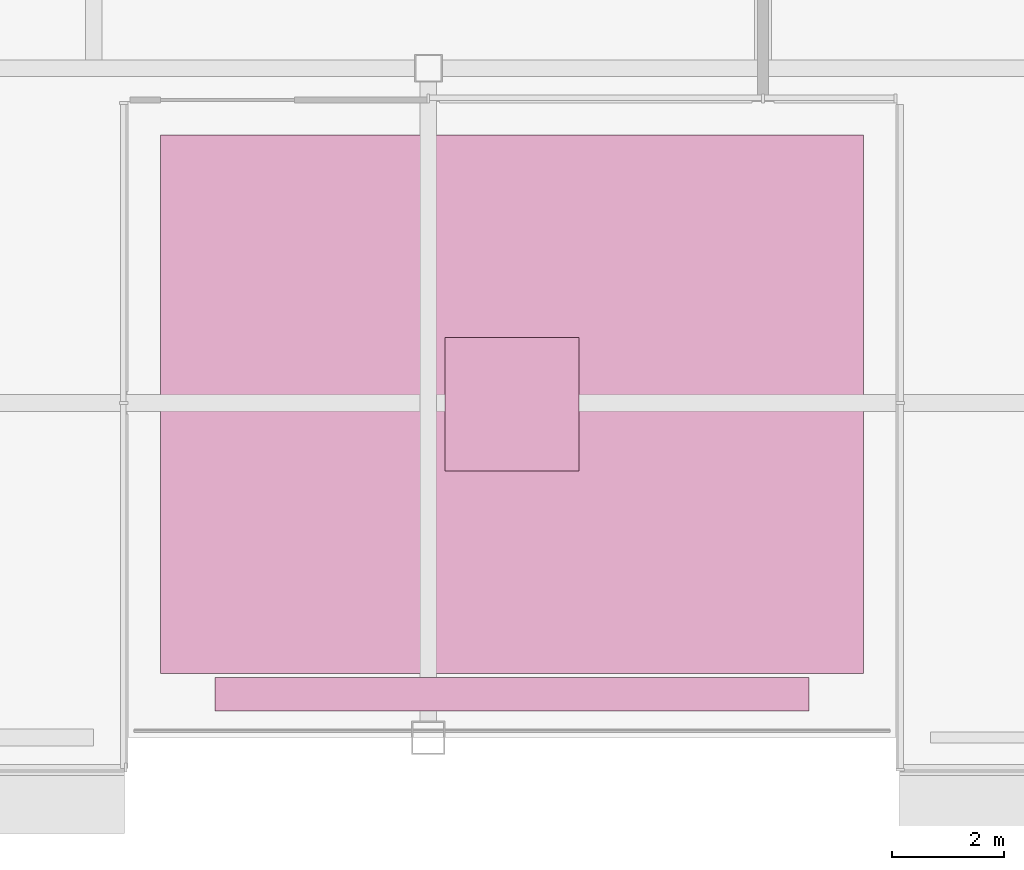
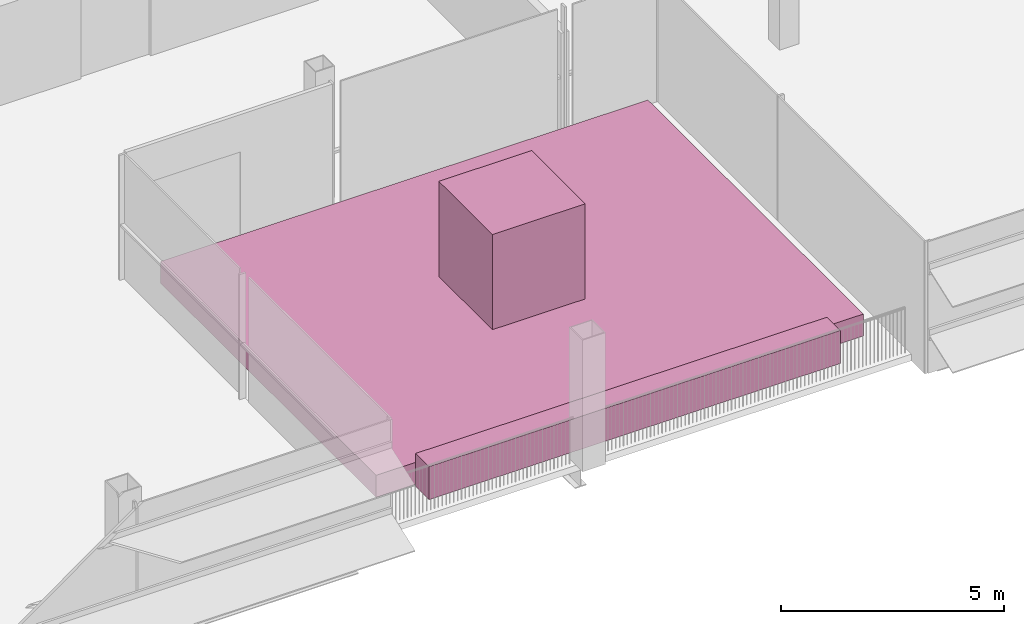
# One storey, part 27 of 27: 3 furniture elements.
"""IFC4 building model written with IfcOpenShell, lengths in metres."""

import ifcopenshell
import ifcopenshell.guid

model = None  # the IFC model being written
_history = None  # IfcOwnerHistory: only IFC2X3 demands one
_inside = {}  # id of a spatial element -> (the spatial element, [elements in it])
_under = {}  # id of a project, library or spatial element -> (it, [spatial elements below it])
_declared = {}  # id of a project -> (the project, [libraries it declares])
_typed = {}  # id of a type object -> (the type object, [elements of that type])
_made_of = {}  # id of a material, layer set ... -> (it, [elements and type objects made of it])


def new_model(schema):
    """Start an empty IFC model of exactly this schema.

    Asked for "IFC4X3", IfcOpenShell would pick the latest addendum, in which some entities
    have other attributes; the version numbers below select the first issue.
    IFC2X3 requires an IfcOwnerHistory on every rooted entity: one is made here for all.
    """
    global model, _history
    if schema == "IFC4X3":
        model = ifcopenshell.file(schema_version=(4, 3, 0, 0))
    else:
        model = ifcopenshell.file(schema=schema)
    _inside.clear()
    _under.clear()
    _declared.clear()
    _typed.clear()
    _made_of.clear()
    _history = None
    if model.schema == "IFC2X3":
        org = make("IfcOrganization", Name="unknown")
        user = make(
            "IfcPersonAndOrganization",
            ThePerson=make("IfcPerson", FamilyName="unknown"),
            TheOrganization=org,
        )
        app = make(
            "IfcApplication",
            ApplicationDeveloper=org,
            Version="unknown",
            ApplicationFullName="unknown",
            ApplicationIdentifier="unknown",
        )
        _history = make(
            "IfcOwnerHistory",
            OwningUser=user,
            OwningApplication=app,
            ChangeAction="ADDED",
            CreationDate=0,
        )
    return model


def make(cls, **values):
    """One entity of the class cls with the attributes given. An attribute that is None is left unset."""
    return model.create_entity(
        cls, **{name: value for name, value in values.items() if value is not None}
    )


def rooted(cls, **values):
    """An entity with a GlobalId (a new one), such as an element, a storey or a relation."""
    return make(cls, GlobalId=ifcopenshell.guid.new(), OwnerHistory=_history, **values)


def si_unit(unit_type, name, prefix=None):
    """IfcSIUnit, for example si_unit("LENGTHUNIT", "METRE", prefix="MILLI")."""
    return make("IfcSIUnit", UnitType=unit_type, Prefix=prefix, Name=name)


def assignment(units):
    """IfcUnitAssignment: the units of a project."""
    return None if units is None else make("IfcUnitAssignment", Units=units)


def point(xyz):
    """IfcCartesianPoint."""
    return None if xyz is None else make("IfcCartesianPoint", Coordinates=xyz)


def direction(xyz):
    """IfcDirection."""
    return None if xyz is None else make("IfcDirection", DirectionRatios=xyz)


def frame(location, z_axis=None, x_axis=None):
    """IfcAxis2Placement3D, a coordinate frame: its origin and axes. An axis left out is left unset."""
    return make(
        "IfcAxis2Placement3D",
        Location=point(location),
        Axis=direction(z_axis),
        RefDirection=direction(x_axis),
    )


def frame_2d(location, x_axis=None):
    """IfcAxis2Placement2D, a coordinate frame in the plane: its origin and x axis."""
    return make(
        "IfcAxis2Placement2D", Location=point(location), RefDirection=direction(x_axis)
    )


def origin():
    """The frame at (0, 0, 0) with its axes left unset."""
    return frame((0.0, 0.0, 0.0))


def origin_2d():
    """The frame at (0, 0) in the plane with its x axis left unset."""
    return frame_2d((0.0, 0.0))


def place(relative_to, where):
    """IfcLocalPlacement: puts the frame where relative to a parent placement (None: the world)."""
    return make(
        "IfcLocalPlacement", PlacementRelTo=relative_to, RelativePlacement=where
    )


def context(
    kind, dimensions, precision=None, world=None, true_north=None, identifier=None
):
    """IfcGeometricRepresentationContext, for example the 3D "Model" context."""
    return make(
        "IfcGeometricRepresentationContext",
        ContextIdentifier=identifier,
        ContextType=kind,
        CoordinateSpaceDimension=dimensions,
        Precision=precision,
        WorldCoordinateSystem=world,
        TrueNorth=true_north,
    )


def subcontext(parent, identifier, kind, view, scale=None):
    """IfcGeometricRepresentationSubContext, for example "Body" below "Model"."""
    return make(
        "IfcGeometricRepresentationSubContext",
        ContextIdentifier=identifier,
        ContextType=kind,
        ParentContext=parent,
        TargetScale=scale,
        TargetView=view,
    )


def project(units=None, contexts=None):
    """IfcProject with its units and contexts."""
    return rooted(
        "IfcProject",
        Name="project",
        RepresentationContexts=contexts,
        UnitsInContext=assignment(units),
    )


def spatial(cls, under=None, at=None, **own):
    """A site, building, storey or space (cls), placed at a placement, below another one or the project."""
    s = rooted(cls, ObjectPlacement=at, **own)
    if under is not None:
        _under.setdefault(under.id(), (under, []))[1].append(s)
    return s


def profile(cls, at=None, kind="AREA", **sizes):
    """A parametric profile (cls). Its sizes go by their IFC names, for example OverallWidth=200.0."""
    return make(cls, ProfileType=kind, Position=at, **sizes)


def rectangle(**sizes):
    """IfcRectangleProfileDef."""
    return profile("IfcRectangleProfileDef", **sizes)


def extrude(swept, where, along, depth):
    """IfcExtrudedAreaSolid: the profile swept, set in the frame where, extruded along a direction by depth."""
    return make(
        "IfcExtrudedAreaSolid",
        SweptArea=swept,
        Position=where,
        ExtrudedDirection=direction(along),
        Depth=depth,
    )


def shape(context_of_items, identifier, shape_type, items):
    """IfcShapeRepresentation: the items that make up one representation, for example the "Body"."""
    return make(
        "IfcShapeRepresentation",
        ContextOfItems=context_of_items,
        RepresentationIdentifier=identifier,
        RepresentationType=shape_type,
        Items=items,
    )


def material(Name=None, Category=None):
    """IfcMaterial."""
    return make("IfcMaterial", Name=Name, Category=Category)


def made_of(thing, what):
    """Note that an element or type object is made of a material, layer set ...; save() writes the relation."""
    if what is not None:
        _made_of.setdefault(what.id(), (what, []))[1].append(thing)
    return thing


def type_object(cls, material=None, **own):
    """A type object (cls), such as IfcWallType, which elements share."""
    return made_of(rooted(cls, **own), material)


def element(
    cls,
    number,
    at=None,
    inside=None,
    cuts=None,
    type_object=None,
    material=None,
    context=None,
    identifier="Body",
    shape_type=None,
    held_by="IfcProductDefinitionShape",
    body=None,
    shapes=None,
    **own,
):
    """One element of the class cls, such as IfcWall. Its Tag is "e" and its number.

    at: its placement. inside: the storey or other place that contains it. cuts: it is an
    opening in that element (IfcRelVoidsElement). A single representation is given by context,
    identifier, shape_type and body (its items); several are given by shapes. held_by: the class
    of the entity that holds the representations. save() writes the other relations.
    """
    e = rooted(cls, Tag="e%d" % number, ObjectPlacement=at, **own)
    if body is not None:
        shapes = [shape(context, identifier, shape_type, body)]
    if shapes is not None:
        e.Representation = make(held_by, Representations=shapes)
    if inside is not None:
        _inside.setdefault(inside.id(), (inside, []))[1].append(e)
    if cuts is not None:
        rooted(
            "IfcRelVoidsElement", RelatingBuildingElement=cuts, RelatedOpeningElement=e
        )
    if type_object is not None:
        _typed.setdefault(type_object.id(), (type_object, []))[1].append(e)
    return made_of(e, material)


def aggregate(whole, parts):
    """IfcRelAggregates: a whole, such as a stair, and the parts it consists of."""
    return rooted("IfcRelAggregates", RelatingObject=whole, RelatedObjects=parts)


def save(model, path):
    """Write the relations noted so far, then the file.

    IfcRelAggregates (storeys below a building ...), IfcRelContainedInSpatialStructure (elements
    in a storey), IfcRelDefinesByType, IfcRelAssociatesMaterial and IfcRelDeclares: one each for
    every whole, place, type object, material and project.
    """
    for whole, parts in _under.values():
        aggregate(whole, parts)
    for where, things in _inside.values():
        rooted(
            "IfcRelContainedInSpatialStructure",
            RelatedElements=things,
            RelatingStructure=where,
        )
    for kind, things in _typed.values():
        rooted("IfcRelDefinesByType", RelatedObjects=things, RelatingType=kind)
    for what, things in _made_of.values():
        rooted("IfcRelAssociatesMaterial", RelatedObjects=things, RelatingMaterial=what)
    for by, libraries in _declared.values():
        rooted("IfcRelDeclares", RelatingContext=by, RelatedDefinitions=libraries)
    model.write(path)


model = new_model("IFC4")

# Units and contexts
model_context = context("Model", 3, precision=1e-05, world=origin(), true_north=direction((0.0, 1.0)))
body_context = subcontext(model_context, "Body", "Model", "MODEL_VIEW")
ifc_project = project(units=[si_unit("LENGTHUNIT", "METRE"), si_unit("AREAUNIT", "SQUARE_METRE"), si_unit("VOLUMEUNIT", "CUBIC_METRE"), si_unit("PLANEANGLEUNIT", "RADIAN"), si_unit("MASSUNIT", "GRAM", prefix="KILO")], contexts=[model_context])

# Site, building, storey
site_placement = place(None, origin())
site = spatial("IfcSite", under=ifc_project, at=site_placement, CompositionType="ELEMENT")
building_placement = place(site_placement, origin())
building = spatial("IfcBuilding", under=site, at=building_placement, Name="Sorahane Residences", CompositionType="ELEMENT")
storey_placement = place(building_placement, frame((0.0, 0.0, 298.0)))
storey = spatial("IfcBuildingStorey", under=building, at=storey_placement, Name="L70", CompositionType="ELEMENT", Elevation=298.0)

# Furniture
ifc_material_1 = material(Name="Planting soil with shrubs in a steel-framed bed", Category="steel")
furniture_type_1 = type_object("IfcFurnitureType", Name="PLANTER bed black steel frame with soil 12600x9650", AssemblyPlace="NOTDEFINED", PredefinedType="NOTDEFINED", material=ifc_material_1)
furniture_1_placement = place(storey_placement, frame((13.5, 5.97509765625, 0.0), z_axis=(0.0, 0.0, 1.0), x_axis=(1.0, 0.0, 0.0)))
element("IfcFurniture", 1, at=furniture_1_placement, inside=storey, type_object=furniture_type_1, Name="PLANTER bed L70.1.1", PredefinedType="NOTDEFINED", context=body_context, shape_type="SweptSolid", body=[
    extrude(rectangle(XDim=12.60009765625, YDim=9.64990234375, at=origin_2d()), origin(), (0.0, 0.0, 1.0), 0.60009765625),
])
ifc_material_2 = material(Name="Planting soil with hedge in a steel-framed trough", Category="steel")
furniture_type_2 = type_object("IfcFurnitureType", Name="PLANTER hedge strip black steel frame with soil", AssemblyPlace="NOTDEFINED", PredefinedType="NOTDEFINED", material=ifc_material_2)
furniture_2_placement = place(storey_placement, frame((13.5, 0.780029296875, 0.0), z_axis=(0.0, 0.0, 1.0), x_axis=(-1.0, 0.0, 0.0)))
element("IfcFurniture", 2, at=furniture_2_placement, inside=storey, type_object=furniture_type_2, Name="PLANTER hedge L70.1.1", PredefinedType="NOTDEFINED", context=body_context, shape_type="SweptSolid", body=[
    extrude(rectangle(XDim=10.639892578125, YDim=0.60009765625, at=origin_2d()), origin(), (0.0, 0.0, 1.0), 0.89990234375),
])
ifc_material_3 = material(Name="Green foliage shrub planting")
furniture_type_3 = type_object("IfcFurnitureType", Name="PLANTER shrub planting green foliage", AssemblyPlace="NOTDEFINED", PredefinedType="NOTDEFINED", material=ifc_material_3)
furniture_3_placement = place(storey_placement, frame((13.5, 5.97509765625, 0.599853515625), z_axis=(0.0, 0.0, 1.0), x_axis=(1.0, 0.0, 0.0)))
element("IfcFurniture", 3, at=furniture_3_placement, inside=storey, type_object=furniture_type_3, Name="PLANTER shrub L70.1.1", PredefinedType="NOTDEFINED", context=body_context, shape_type="SweptSolid", body=[
    extrude(rectangle(XDim=2.39990234375, YDim=2.39990234375, at=origin_2d()), origin(), (0.0, 0.0, 1.0), 2.60009765625),
])

save(model, "model.ifc")
